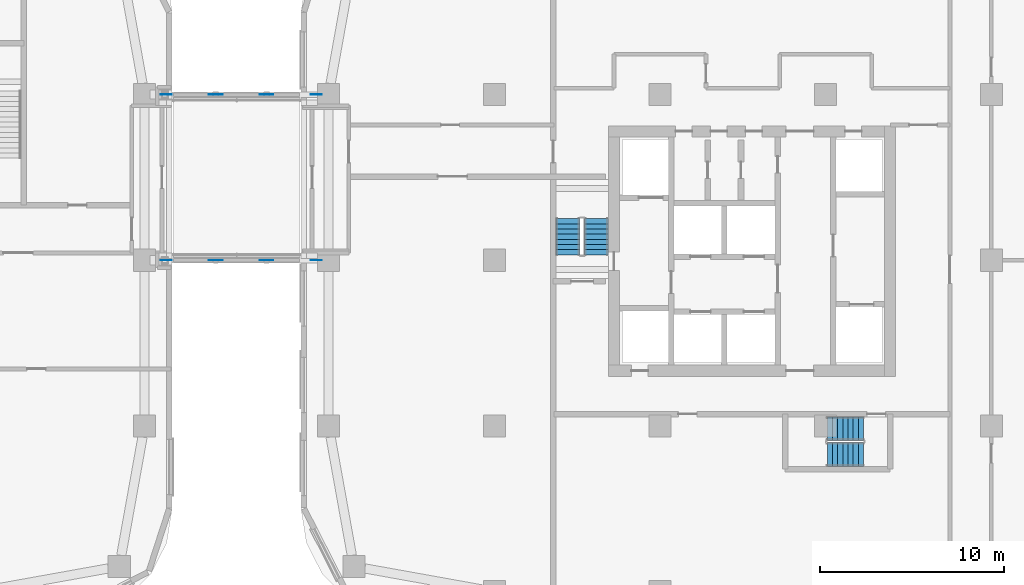
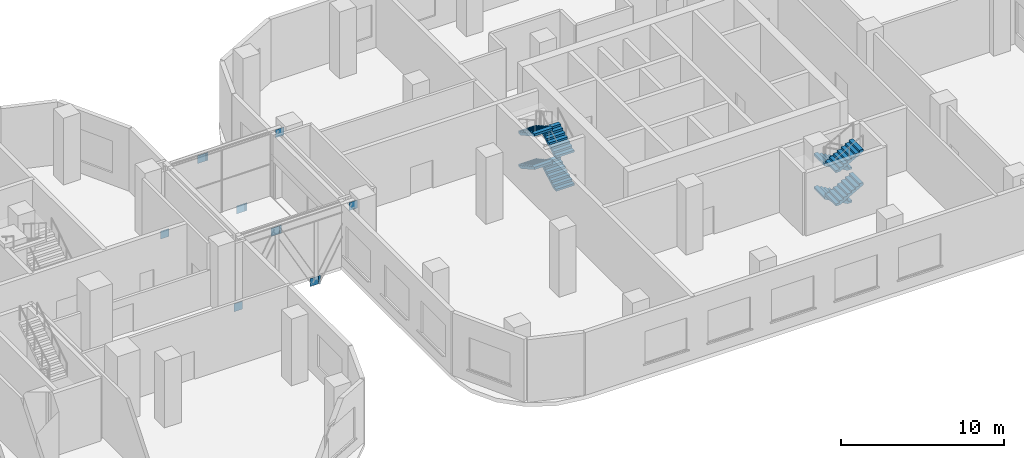
# One storey, part 22 of 35: 12 discrete accessories, 8 stair flights, 2 elements without a shape of their own.
"""IFC4 building model written with IfcOpenShell, lengths in metres."""

from ifc_helpers import new_model, si_unit, direction, frame, origin, origin_2d, place, context, subcontext, project, spatial, rectangle, extrude, triangles, source, transform, mapped, material, layer, layer_set, type_object, element, aggregate, save


model = new_model("IFC4")

# Units and contexts
model_context = context("Model", 3, precision=1e-05, world=origin(), true_north=direction((0.0, 1.0)))
body_context = subcontext(model_context, "Body", "Model", "MODEL_VIEW")
ifc_project = project(units=[si_unit("LENGTHUNIT", "METRE"), si_unit("AREAUNIT", "SQUARE_METRE"), si_unit("VOLUMEUNIT", "CUBIC_METRE"), si_unit("PLANEANGLEUNIT", "RADIAN"), si_unit("MASSUNIT", "GRAM", prefix="KILO")], contexts=[model_context])

# Site, building, storey
site_placement = place(None, origin())
site = spatial("IfcSite", under=ifc_project, at=site_placement, CompositionType="ELEMENT")
building_placement = place(site_placement, origin())
building = spatial("IfcBuilding", under=site, at=building_placement, Name="Ogive Portal Towers", CompositionType="ELEMENT")
storey_placement = place(building_placement, frame((0.0, 0.0, 23.5)))
storey = spatial("IfcBuildingStorey", under=building, at=storey_placement, Name="L04", CompositionType="ELEMENT", Elevation=23.5)

# Stair, stair flights
ifc_material_1 = material(Name="Concrete C40/50", Category="concrete")
stair_type = type_object("IfcStairType", Name="INT-STAIR", PredefinedType="HALF_TURN_STAIR", material=ifc_material_1)
stair_1_placement = place(storey_placement, origin())
stair_1 = element("IfcStair", 1, at=stair_1_placement, inside=storey, type_object=stair_type, Name="L04 Exit Stair ST-B1", PredefinedType="HALF_TURN_STAIR")
stair_flight_type = type_object("IfcStairFlightType", Name="INT-FLIGHT", PredefinedType="STRAIGHT", material=ifc_material_1)
shared_shape = source(origin(), body_context, "Body", "Tessellation", [
    triangles([(0.0, -0.650146484375, 0.0), (0.0, -0.376220703125, 0.0), (0.0, -0.192626953125, 0.0), (0.0, -0.081298828125, 0.0), (0.0, -0.024169921875, 0.0), (0.0, -0.003173828125, 0.0), (0.0, 0.0, 0.0), (0.0, 0.0029296875, 0.0), (0.0, 0.02392578125, 0.0), (0.0, 0.0810546875, 0.0), (0.0, 0.1923828125, 0.0), (0.0, 0.3759765625, 0.0), (0.0, 0.64990234375, 0.0), (0.0, -0.650146484375, 0.15625), (0.0, -0.376220703125, 0.15625), (0.0, -0.192626953125, 0.15625), (0.0, -0.081298828125, 0.15625), (0.0, -0.024169921875, 0.15625), (0.0, -0.003173828125, 0.15625), (0.0, 0.0, 0.15625), (0.0, 0.0029296875, 0.15625), (0.0, 0.02392578125, 0.15625), (0.0, 0.0810546875, 0.15625), (0.0, 0.1923828125, 0.15625), (0.0, 0.3759765625, 0.15625), (0.0, 0.64990234375, 0.15625), (0.280029296875, -0.650146484375, 0.15625), (0.280029296875, -0.376220703125, 0.15625), (0.280029296875, -0.192626953125, 0.15625), (0.280029296875, -0.081298828125, 0.15625), (0.280029296875, -0.024169921875, 0.15625), (0.280029296875, -0.003173828125, 0.15625), (0.280029296875, 0.0, 0.15625), (0.280029296875, 0.0029296875, 0.15625), (0.280029296875, 0.02392578125, 0.15625), (0.280029296875, 0.0810546875, 0.15625), (0.280029296875, 0.1923828125, 0.15625), (0.280029296875, 0.3759765625, 0.15625), (0.280029296875, 0.64990234375, 0.15625), (0.280029296875, -0.650146484375, 0.3125), (0.280029296875, -0.376220703125, 0.3125), (0.280029296875, -0.192626953125, 0.3125), (0.280029296875, -0.081298828125, 0.3125), (0.280029296875, -0.024169921875, 0.3125), (0.280029296875, -0.003173828125, 0.3125), (0.280029296875, 0.0, 0.3125), (0.280029296875, 0.0029296875, 0.3125), (0.280029296875, 0.02392578125, 0.3125), (0.280029296875, 0.0810546875, 0.3125), (0.280029296875, 0.1923828125, 0.3125), (0.280029296875, 0.3759765625, 0.3125), (0.280029296875, 0.64990234375, 0.3125), (0.56005859375, -0.650146484375, 0.3125), (0.56005859375, -0.376220703125, 0.3125), (0.56005859375, -0.192626953125, 0.3125), (0.56005859375, -0.081298828125, 0.3125), (0.56005859375, -0.024169921875, 0.3125), (0.56005859375, -0.003173828125, 0.3125), (0.56005859375, 0.0, 0.3125), (0.56005859375, 0.0029296875, 0.3125), (0.56005859375, 0.02392578125, 0.3125), (0.56005859375, 0.0810546875, 0.3125), (0.56005859375, 0.1923828125, 0.3125), (0.56005859375, 0.3759765625, 0.3125), (0.56005859375, 0.64990234375, 0.3125), (0.56005859375, -0.650146484375, 0.46875), (0.56005859375, -0.376220703125, 0.46875), (0.56005859375, -0.192626953125, 0.46875), (0.56005859375, -0.081298828125, 0.46875), (0.56005859375, -0.024169921875, 0.46875), (0.56005859375, -0.003173828125, 0.46875), (0.56005859375, 0.0, 0.46875), (0.56005859375, 0.0029296875, 0.46875), (0.56005859375, 0.02392578125, 0.46875), (0.56005859375, 0.0810546875, 0.46875), (0.56005859375, 0.1923828125, 0.46875), (0.56005859375, 0.3759765625, 0.46875), (0.56005859375, 0.64990234375, 0.46875), (0.840087890625, -0.650146484375, 0.46875), (0.840087890625, -0.376220703125, 0.46875), (0.840087890625, -0.192626953125, 0.46875), (0.840087890625, -0.081298828125, 0.46875), (0.840087890625, -0.024169921875, 0.46875), (0.840087890625, -0.003173828125, 0.46875), (0.840087890625, 0.0, 0.46875), (0.840087890625, 0.0029296875, 0.46875), (0.840087890625, 0.02392578125, 0.46875), (0.840087890625, 0.0810546875, 0.46875), (0.840087890625, 0.1923828125, 0.46875), (0.840087890625, 0.3759765625, 0.46875), (0.840087890625, 0.64990234375, 0.46875), (0.840087890625, -0.650146484375, 0.625), (0.840087890625, -0.376220703125, 0.625), (0.840087890625, -0.192626953125, 0.625), (0.840087890625, -0.081298828125, 0.625), (0.840087890625, -0.024169921875, 0.625), (0.840087890625, -0.003173828125, 0.625), (0.840087890625, 0.0, 0.625), (0.840087890625, 0.0029296875, 0.625), (0.840087890625, 0.02392578125, 0.625), (0.840087890625, 0.0810546875, 0.625), (0.840087890625, 0.1923828125, 0.625), (0.840087890625, 0.3759765625, 0.625), (0.840087890625, 0.64990234375, 0.625), (1.1201171875, -0.650146484375, 0.625), (1.1201171875, -0.376220703125, 0.625), (1.1201171875, -0.192626953125, 0.625), (1.1201171875, -0.081298828125, 0.625), (1.1201171875, -0.024169921875, 0.625), (1.1201171875, -0.003173828125, 0.625), (1.1201171875, 0.0, 0.625), (1.1201171875, 0.0029296875, 0.625), (1.1201171875, 0.02392578125, 0.625), (1.1201171875, 0.0810546875, 0.625), (1.1201171875, 0.1923828125, 0.625), (1.1201171875, 0.3759765625, 0.625), (1.1201171875, 0.64990234375, 0.625), (1.1201171875, -0.650146484375, 0.78125), (1.1201171875, -0.376220703125, 0.78125), (1.1201171875, -0.192626953125, 0.78125), (1.1201171875, -0.081298828125, 0.78125), (1.1201171875, -0.024169921875, 0.78125), (1.1201171875, -0.003173828125, 0.78125), (1.1201171875, 0.0, 0.78125), (1.1201171875, 0.0029296875, 0.78125), (1.1201171875, 0.02392578125, 0.78125), (1.1201171875, 0.0810546875, 0.78125), (1.1201171875, 0.1923828125, 0.78125), (1.1201171875, 0.3759765625, 0.78125), (1.1201171875, 0.64990234375, 0.78125), (1.39990234375, -0.650146484375, 0.78125), (1.39990234375, -0.376220703125, 0.78125), (1.39990234375, -0.192626953125, 0.78125), (1.39990234375, -0.081298828125, 0.78125), (1.39990234375, -0.024169921875, 0.78125), (1.39990234375, -0.003173828125, 0.78125), (1.39990234375, 0.0, 0.78125), (1.39990234375, 0.0029296875, 0.78125), (1.39990234375, 0.02392578125, 0.78125), (1.39990234375, 0.0810546875, 0.78125), (1.39990234375, 0.1923828125, 0.78125), (1.39990234375, 0.3759765625, 0.78125), (1.39990234375, 0.64990234375, 0.78125), (1.39990234375, -0.650146484375, 0.9375), (1.39990234375, -0.376220703125, 0.9375), (1.39990234375, -0.192626953125, 0.9375), (1.39990234375, -0.081298828125, 0.9375), (1.39990234375, -0.024169921875, 0.9375), (1.39990234375, -0.003173828125, 0.9375), (1.39990234375, 0.0, 0.9375), (1.39990234375, 0.0029296875, 0.9375), (1.39990234375, 0.02392578125, 0.9375), (1.39990234375, 0.0810546875, 0.9375), (1.39990234375, 0.1923828125, 0.9375), (1.39990234375, 0.3759765625, 0.9375), (1.39990234375, 0.64990234375, 0.9375), (1.679931640625, -0.650146484375, 0.9375), (1.679931640625, -0.376220703125, 0.9375), (1.679931640625, -0.192626953125, 0.9375), (1.679931640625, -0.081298828125, 0.9375), (1.679931640625, -0.024169921875, 0.9375), (1.679931640625, -0.003173828125, 0.9375), (1.679931640625, 0.0, 0.9375), (1.679931640625, 0.0029296875, 0.9375), (1.679931640625, 0.02392578125, 0.9375), (1.679931640625, 0.0810546875, 0.9375), (1.679931640625, 0.1923828125, 0.9375), (1.679931640625, 0.3759765625, 0.9375), (1.679931640625, 0.64990234375, 0.9375), (1.679931640625, -0.650146484375, 1.09375), (1.679931640625, -0.376220703125, 1.09375), (1.679931640625, -0.192626953125, 1.09375), (1.679931640625, -0.081298828125, 1.09375), (1.679931640625, -0.024169921875, 1.09375), (1.679931640625, -0.003173828125, 1.09375), (1.679931640625, 0.0, 1.09375), (1.679931640625, 0.0029296875, 1.09375), (1.679931640625, 0.02392578125, 1.09375), (1.679931640625, 0.0810546875, 1.09375), (1.679931640625, 0.1923828125, 1.09375), (1.679931640625, 0.3759765625, 1.09375), (1.679931640625, 0.64990234375, 1.09375), (1.9599609375, -0.650146484375, 1.09375), (1.9599609375, -0.376220703125, 1.09375), (1.9599609375, -0.192626953125, 1.09375), (1.9599609375, -0.081298828125, 1.09375), (1.9599609375, -0.024169921875, 1.09375), (1.9599609375, -0.003173828125, 1.09375), (1.9599609375, 0.0, 1.09375), (1.9599609375, 0.0029296875, 1.09375), (1.9599609375, 0.02392578125, 1.09375), (1.9599609375, 0.0810546875, 1.09375), (1.9599609375, 0.1923828125, 1.09375), (1.9599609375, 0.3759765625, 1.09375), (1.9599609375, 0.64990234375, 1.09375), (1.9599609375, -0.650146484375, 0.922119140625), (1.9599609375, -0.376220703125, 0.922119140625), (1.9599609375, -0.192626953125, 0.922119140625), (1.9599609375, -0.081298828125, 0.922119140625), (1.9599609375, -0.024169921875, 0.922119140625), (1.9599609375, -0.003173828125, 0.922119140625), (1.9599609375, 0.0, 0.922119140625), (1.9599609375, 0.0029296875, 0.922119140625), (1.9599609375, 0.02392578125, 0.922119140625), (1.9599609375, 0.0810546875, 0.922119140625), (1.9599609375, 0.1923828125, 0.922119140625), (1.9599609375, 0.3759765625, 0.922119140625), (1.9599609375, 0.64990234375, 0.922119140625), (0.3076171875, -0.650146484375, 0.0), (0.3076171875, -0.376220703125, 0.0), (0.3076171875, -0.192626953125, 0.0), (0.3076171875, -0.081298828125, 0.0), (0.3076171875, -0.024169921875, 0.0), (0.3076171875, -0.003173828125, 0.0), (0.3076171875, 0.0, 0.0), (0.3076171875, 0.0029296875, 0.0), (0.3076171875, 0.02392578125, 0.0), (0.3076171875, 0.0810546875, 0.0), (0.3076171875, 0.1923828125, 0.0), (0.3076171875, 0.3759765625, 0.0), (0.3076171875, 0.64990234375, 0.0)], [[1, 14, 15], [1, 15, 2], [2, 15, 16], [2, 16, 3], [3, 16, 17], [3, 17, 4], [4, 17, 18], [4, 18, 5], [5, 18, 19], [5, 19, 6], [6, 19, 20], [6, 20, 7], [7, 20, 21], [7, 21, 8], [8, 21, 22], [8, 22, 9], [9, 22, 23], [9, 23, 10], [10, 23, 24], [10, 24, 11], [11, 24, 25], [11, 25, 12], [12, 25, 26], [12, 26, 13], [14, 27, 28], [14, 28, 15], [15, 28, 29], [15, 29, 16], [16, 29, 30], [16, 30, 17], [17, 30, 31], [17, 31, 18], [18, 31, 32], [18, 32, 19], [19, 32, 33], [19, 33, 20], [20, 33, 34], [20, 34, 21], [21, 34, 35], [21, 35, 22], [22, 35, 36], [22, 36, 23], [23, 36, 37], [23, 37, 24], [24, 37, 38], [24, 38, 25], [25, 38, 39], [25, 39, 26], [27, 40, 41], [27, 41, 28], [28, 41, 42], [28, 42, 29], [29, 42, 43], [29, 43, 30], [30, 43, 44], [30, 44, 31], [31, 44, 45], [31, 45, 32], [32, 45, 46], [32, 46, 33], [33, 46, 47], [33, 47, 34], [34, 47, 48], [34, 48, 35], [35, 48, 49], [35, 49, 36], [36, 49, 50], [36, 50, 37], [37, 50, 51], [37, 51, 38], [38, 51, 52], [38, 52, 39], [40, 53, 54], [40, 54, 41], [41, 54, 55], [41, 55, 42], [42, 55, 56], [42, 56, 43], [43, 56, 57], [43, 57, 44], [44, 57, 58], [44, 58, 45], [45, 58, 59], [45, 59, 46], [46, 59, 60], [46, 60, 47], [47, 60, 61], [47, 61, 48], [48, 61, 62], [48, 62, 49], [49, 62, 63], [49, 63, 50], [50, 63, 64], [50, 64, 51], [51, 64, 65], [51, 65, 52], [53, 66, 67], [53, 67, 54], [54, 67, 68], [54, 68, 55], [55, 68, 69], [55, 69, 56], [56, 69, 70], [56, 70, 57], [57, 70, 71], [57, 71, 58], [58, 71, 72], [58, 72, 59], [59, 72, 73], [59, 73, 60], [60, 73, 74], [60, 74, 61], [61, 74, 75], [61, 75, 62], [62, 75, 76], [62, 76, 63], [63, 76, 77], [63, 77, 64], [64, 77, 78], [64, 78, 65], [66, 79, 80], [66, 80, 67], [67, 80, 81], [67, 81, 68], [68, 81, 82], [68, 82, 69], [69, 82, 83], [69, 83, 70], [70, 83, 84], [70, 84, 71], [71, 84, 85], [71, 85, 72], [72, 85, 86], [72, 86, 73], [73, 86, 87], [73, 87, 74], [74, 87, 88], [74, 88, 75], [75, 88, 89], [75, 89, 76], [76, 89, 90], [76, 90, 77], [77, 90, 91], [77, 91, 78], [79, 92, 93], [79, 93, 80], [80, 93, 94], [80, 94, 81], [81, 94, 95], [81, 95, 82], [82, 95, 96], [82, 96, 83], [83, 96, 97], [83, 97, 84], [84, 97, 98], [84, 98, 85], [85, 98, 99], [85, 99, 86], [86, 99, 100], [86, 100, 87], [87, 100, 101], [87, 101, 88], [88, 101, 102], [88, 102, 89], [89, 102, 103], [89, 103, 90], [90, 103, 104], [90, 104, 91], [92, 105, 106], [92, 106, 93], [93, 106, 107], [93, 107, 94], [94, 107, 108], [94, 108, 95], [95, 108, 109], [95, 109, 96], [96, 109, 110], [96, 110, 97], [97, 110, 111], [97, 111, 98], [98, 111, 112], [98, 112, 99], [99, 112, 113], [99, 113, 100], [100, 113, 114], [100, 114, 101], [101, 114, 115], [101, 115, 102], [102, 115, 116], [102, 116, 103], [103, 116, 117], [103, 117, 104], [105, 118, 119], [105, 119, 106], [106, 119, 120], [106, 120, 107], [107, 120, 121], [107, 121, 108], [108, 121, 122], [108, 122, 109], [109, 122, 123], [109, 123, 110], [110, 123, 124], [110, 124, 111], [111, 124, 125], [111, 125, 112], [112, 125, 126], [112, 126, 113], [113, 126, 127], [113, 127, 114], [114, 127, 128], [114, 128, 115], [115, 128, 129], [115, 129, 116], [116, 129, 130], [116, 130, 117], [118, 131, 132], [118, 132, 119], [119, 132, 133], [119, 133, 120], [120, 133, 134], [120, 134, 121], [121, 134, 135], [121, 135, 122], [122, 135, 136], [122, 136, 123], [123, 136, 137], [123, 137, 124], [124, 137, 138], [124, 138, 125], [125, 138, 139], [125, 139, 126], [126, 139, 140], [126, 140, 127], [127, 140, 141], [127, 141, 128], [128, 141, 142], [128, 142, 129], [129, 142, 143], [129, 143, 130], [131, 144, 145], [131, 145, 132], [132, 145, 146], [132, 146, 133], [133, 146, 147], [133, 147, 134], [134, 147, 148], [134, 148, 135], [135, 148, 149], [135, 149, 136], [136, 149, 150], [136, 150, 137], [137, 150, 151], [137, 151, 138], [138, 151, 152], [138, 152, 139], [139, 152, 153], [139, 153, 140], [140, 153, 154], [140, 154, 141], [141, 154, 155], [141, 155, 142], [142, 155, 156], [142, 156, 143], [144, 157, 158], [144, 158, 145], [145, 158, 159], [145, 159, 146], [146, 159, 160], [146, 160, 147], [147, 160, 161], [147, 161, 148], [148, 161, 162], [148, 162, 149], [149, 162, 163], [149, 163, 150], [150, 163, 164], [150, 164, 151], [151, 164, 165], [151, 165, 152], [152, 165, 166], [152, 166, 153], [153, 166, 167], [153, 167, 154], [154, 167, 168], [154, 168, 155], [155, 168, 169], [155, 169, 156], [157, 170, 171], [157, 171, 158], [158, 171, 172], [158, 172, 159], [159, 172, 173], [159, 173, 160], [160, 173, 174], [160, 174, 161], [161, 174, 175], [161, 175, 162], [162, 175, 176], [162, 176, 163], [163, 176, 177], [163, 177, 164], [164, 177, 178], [164, 178, 165], [165, 178, 179], [165, 179, 166], [166, 179, 180], [166, 180, 167], [167, 180, 181], [167, 181, 168], [168, 181, 182], [168, 182, 169], [170, 183, 184], [170, 184, 171], [171, 184, 185], [171, 185, 172], [172, 185, 186], [172, 186, 173], [173, 186, 187], [173, 187, 174], [174, 187, 188], [174, 188, 175], [175, 188, 189], [175, 189, 176], [176, 189, 190], [176, 190, 177], [177, 190, 191], [177, 191, 178], [178, 191, 192], [178, 192, 179], [179, 192, 193], [179, 193, 180], [180, 193, 194], [180, 194, 181], [181, 194, 195], [181, 195, 182], [183, 196, 197], [183, 197, 184], [184, 197, 198], [184, 198, 185], [185, 198, 199], [185, 199, 186], [186, 199, 200], [186, 200, 187], [187, 200, 201], [187, 201, 188], [188, 201, 202], [188, 202, 189], [189, 202, 203], [189, 203, 190], [190, 203, 204], [190, 204, 191], [191, 204, 205], [191, 205, 192], [192, 205, 206], [192, 206, 193], [193, 206, 207], [193, 207, 194], [194, 207, 208], [194, 208, 195], [196, 209, 210], [196, 210, 197], [197, 210, 211], [197, 211, 198], [198, 211, 212], [198, 212, 199], [199, 212, 213], [199, 213, 200], [200, 213, 214], [200, 214, 201], [201, 214, 215], [201, 215, 202], [202, 215, 216], [202, 216, 203], [203, 216, 217], [203, 217, 204], [204, 217, 218], [204, 218, 205], [205, 218, 219], [205, 219, 206], [206, 219, 220], [206, 220, 207], [207, 220, 221], [207, 221, 208], [209, 1, 2], [209, 2, 210], [210, 2, 3], [210, 3, 211], [211, 3, 4], [211, 4, 212], [212, 4, 5], [212, 5, 213], [213, 5, 6], [213, 6, 214], [214, 6, 7], [214, 7, 215], [215, 7, 8], [215, 8, 216], [216, 8, 9], [216, 9, 217], [217, 9, 10], [217, 10, 218], [218, 10, 11], [218, 11, 219], [219, 11, 12], [219, 12, 220], [220, 12, 13], [220, 13, 221], [1, 209, 196], [13, 208, 221], [196, 183, 170], [208, 182, 195], [196, 170, 157], [208, 169, 182], [196, 157, 144], [208, 156, 169], [196, 144, 131], [208, 143, 156], [131, 118, 105], [143, 117, 130], [196, 131, 105], [208, 117, 143], [105, 92, 79], [117, 91, 104], [196, 105, 79], [208, 91, 117], [79, 66, 53], [91, 65, 78], [196, 79, 53], [208, 65, 91], [53, 40, 27], [65, 39, 52], [196, 53, 27], [208, 39, 65], [1, 196, 27], [13, 39, 208], [27, 14, 1], [39, 13, 26]], closed=True),
])
stair_flight_1_placement = place(storey_placement, frame((128.050048828125, 30.800048828125, 0.0), z_axis=(0.0, 0.0, 1.0), x_axis=(0.0, 1.0, 0.0)))
stair_flight_1 = element("IfcStairFlight", 2, at=stair_flight_1_placement, type_object=stair_flight_type, Name="ST-B1 flight 1", NumberOfRisers=8, NumberOfTreads=7, PredefinedType="STRAIGHT", RiserHeight=0.15625, TreadLength=0.28, context=body_context, shape_type="MappedRepresentation", body=[
    mapped(shared_shape, transform((0.0, 0.0, 0.0), scale=1.0)),
])
stair_flight_2_placement = place(storey_placement, frame((126.5, 32.760009765625, 1.25), z_axis=(0.0, 0.0, 1.0), x_axis=(0.0, -1.0, 0.0)))
stair_flight_2 = element("IfcStairFlight", 3, at=stair_flight_2_placement, type_object=stair_flight_type, Name="ST-B1 flight 2", NumberOfRisers=8, NumberOfTreads=7, PredefinedType="STRAIGHT", RiserHeight=0.15625, TreadLength=0.28, context=body_context, shape_type="MappedRepresentation", body=[
    mapped(shared_shape, transform((0.0, 0.0, 0.0), scale=1.0)),
])
stair_flight_3_placement = place(storey_placement, frame((128.050048828125, 30.800048828125, 2.5), z_axis=(0.0, 0.0, 1.0), x_axis=(0.0, 1.0, 0.0)))
stair_flight_3 = element("IfcStairFlight", 4, at=stair_flight_3_placement, type_object=stair_flight_type, Name="ST-B1 flight 3", NumberOfRisers=8, NumberOfTreads=7, PredefinedType="STRAIGHT", RiserHeight=0.15625, TreadLength=0.28, context=body_context, shape_type="MappedRepresentation", body=[
    mapped(shared_shape, transform((0.0, 0.0, 0.0), scale=1.0)),
])
stair_flight_4_placement = place(storey_placement, frame((126.5, 32.760009765625, 3.75), z_axis=(0.0, 0.0, 1.0), x_axis=(0.0, -1.0, 0.0)))
stair_flight_4 = element("IfcStairFlight", 5, at=stair_flight_4_placement, type_object=stair_flight_type, Name="ST-B1 flight 4", NumberOfRisers=8, NumberOfTreads=7, PredefinedType="STRAIGHT", RiserHeight=0.15625, TreadLength=0.28, context=body_context, shape_type="MappedRepresentation", body=[
    mapped(shared_shape, transform((0.0, 0.0, 0.0), scale=1.0)),
])
aggregate(stair_1, [stair_flight_1, stair_flight_2, stair_flight_3, stair_flight_4])

stair_2_placement = place(storey_placement, origin())
stair_2 = element("IfcStair", 6, at=stair_2_placement, inside=storey, type_object=stair_type, Name="L04 Exit Stair ST-B2", PredefinedType="HALF_TURN_STAIR")
stair_flight_5_placement = place(storey_placement, frame((142.550048828125, 21.35009765625, 0.0), z_axis=(0.0, 0.0, 1.0), x_axis=(-1.0, 0.0, 0.0)))
stair_flight_5 = element("IfcStairFlight", 7, at=stair_flight_5_placement, type_object=stair_flight_type, Name="ST-B2 flight 1", NumberOfRisers=8, NumberOfTreads=7, PredefinedType="STRAIGHT", RiserHeight=0.15625, TreadLength=0.28, context=body_context, shape_type="MappedRepresentation", body=[
    mapped(shared_shape, transform((0.0, 0.0, 0.0), scale=1.0)),
])
stair_flight_6_placement = place(storey_placement, frame((140.590087890625, 19.949951171875, 1.25), z_axis=(0.0, 0.0, 1.0), x_axis=(1.0, 0.0, 0.0)))
stair_flight_6 = element("IfcStairFlight", 8, at=stair_flight_6_placement, type_object=stair_flight_type, Name="ST-B2 flight 2", NumberOfRisers=8, NumberOfTreads=7, PredefinedType="STRAIGHT", RiserHeight=0.15625, TreadLength=0.28, context=body_context, shape_type="MappedRepresentation", body=[
    mapped(shared_shape, transform((0.0, 0.0, 0.0), scale=1.0)),
])
stair_flight_7_placement = place(storey_placement, frame((142.550048828125, 21.35009765625, 2.5), z_axis=(0.0, 0.0, 1.0), x_axis=(-1.0, 0.0, 0.0)))
stair_flight_7 = element("IfcStairFlight", 9, at=stair_flight_7_placement, type_object=stair_flight_type, Name="ST-B2 flight 3", NumberOfRisers=8, NumberOfTreads=7, PredefinedType="STRAIGHT", RiserHeight=0.15625, TreadLength=0.28, context=body_context, shape_type="MappedRepresentation", body=[
    mapped(shared_shape, transform((0.0, 0.0, 0.0), scale=1.0)),
])
stair_flight_8_placement = place(storey_placement, frame((140.590087890625, 19.949951171875, 3.75), z_axis=(0.0, 0.0, 1.0), x_axis=(1.0, 0.0, 0.0)))
stair_flight_8 = element("IfcStairFlight", 10, at=stair_flight_8_placement, type_object=stair_flight_type, Name="ST-B2 flight 4", NumberOfRisers=8, NumberOfTreads=7, PredefinedType="STRAIGHT", RiserHeight=0.15625, TreadLength=0.28, context=body_context, shape_type="MappedRepresentation", body=[
    mapped(shared_shape, transform((0.0, 0.0, 0.0), scale=1.0)),
])
aggregate(stair_2, [stair_flight_5, stair_flight_6, stair_flight_7, stair_flight_8])

# Discrete accessories
ifc_material_2 = material(Name="Steel S355", Category="steel")
ifc_layer = layer(ifc_material_2, 0.02001953125)
ifc_layer_set = layer_set([ifc_layer], Name="GUSSET PLATE 600x600x20")
discrete_accessory_type = type_object("IfcDiscreteAccessoryType", Name="GUSSET PLATE 600x600x20", PredefinedType="BRACKET", material=ifc_layer_set)
for number, where, z_axis, x_axis, name in (
    (11, (104.672607421875, 30.5, -0.77880859375), (0.0, 0.0, 1.0), (1.0, 0.0, 0.0), "Gusset plate"),
    (12, (107.294189453125, 30.5, 3.958740234375), (0.0, 0.0, 1.0), (1.0, 0.0, 0.0), "Gusset plate"),
    (13, (107.439208984375, 30.5, 3.958740234375), (0.0, 0.0, 1.0), (1.0, 0.0, 0.0), "Gusset plate"),
    (14, (110.060791015625, 30.5, -0.77880859375), (0.0, 0.0, 1.0), (1.0, 0.0, 0.0), "Gusset plate"),
    (15, (110.205810546875, 30.5, -0.77880859375), (0.0, 0.0, 1.0), (1.0, 0.0, 0.0), "Gusset plate"),
    (16, (112.827392578125, 30.5, 3.958740234375), (0.0, 0.0, 1.0), (1.0, 0.0, 0.0), "Gusset plate"),
    (17, (104.672607421875, 39.5, -0.77880859375), (0.0, 0.0, 1.0), (1.0, 0.0, 0.0), "Gusset plate"),
    (18, (107.294189453125, 39.5, 3.958740234375), (0.0, 0.0, 1.0), (1.0, 0.0, 0.0), "Gusset plate"),
    (19, (107.439208984375, 39.5, 3.958740234375), (0.0, 0.0, 1.0), (1.0, 0.0, 0.0), "Gusset plate"),
    (20, (110.060791015625, 39.5, -0.77880859375), (0.0, 0.0, 1.0), (1.0, 0.0, 0.0), "Gusset plate"),
    (21, (110.205810546875, 39.5, -0.77880859375), (0.0, 0.0, 1.0), (1.0, 0.0, 0.0), "Gusset plate"),
    (22, (112.827392578125, 39.5, 3.958740234375), (0.0, 0.0, 1.0), (1.0, 0.0, 0.0), "Gusset plate"),
):
    element("IfcDiscreteAccessory", number, at=place(storey_placement, frame(where, z_axis=z_axis, x_axis=x_axis)), inside=storey, type_object=discrete_accessory_type, Name=name, PredefinedType="BRACKET", context=body_context, shape_type="SweptSolid", body=[
        extrude(rectangle(XDim=0.60009765625, YDim=0.02001953125, at=origin_2d()), origin(), (0.0, 0.0, 1.0), 0.60009765625),
    ])

save(model, "model.ifc")
